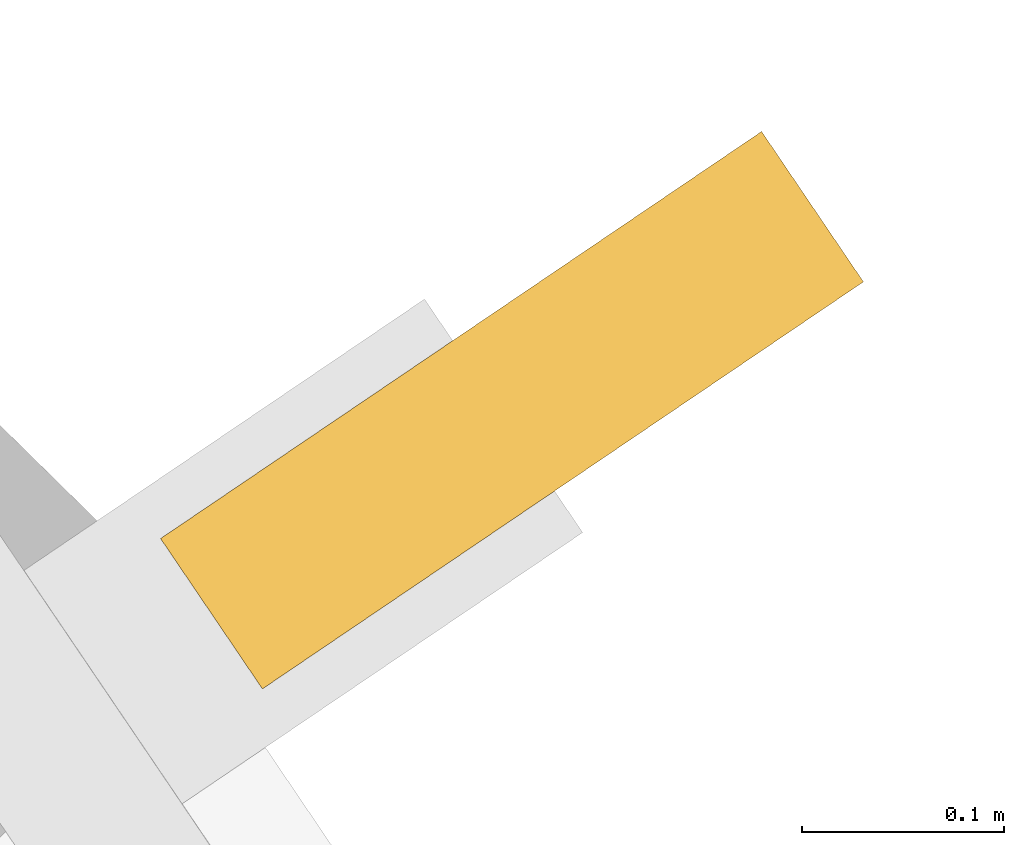
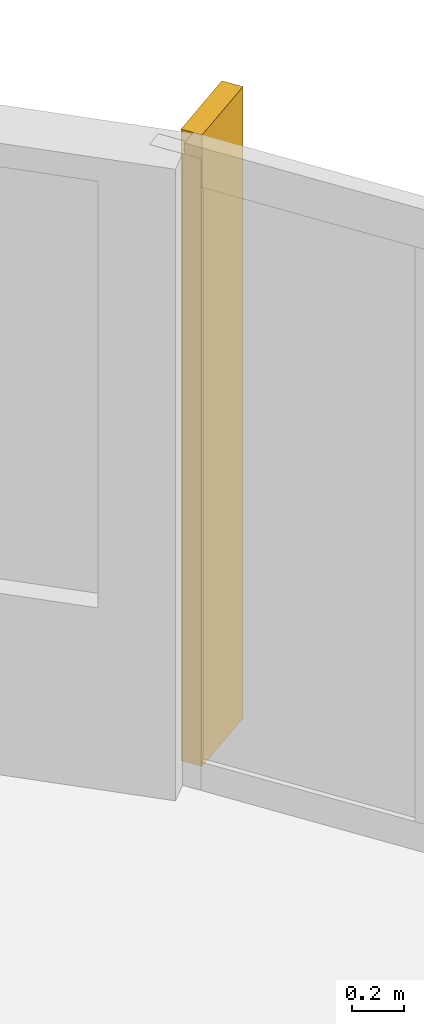
# One storey, part 9 of 9: 1 shading device.
"""IFC4 building model written with IfcOpenShell, lengths in metres."""

from ifc_helpers import new_model, si_unit, direction, frame, origin, origin_2d, place, context, subcontext, project, spatial, rectangle, extrude, material, layer, layer_set, type_object, element, save


model = new_model("IFC4")

# Units and contexts
model_context = context("Model", 3, precision=1e-05, world=origin(), true_north=direction((0.0, 1.0)))
body_context = subcontext(model_context, "Body", "Model", "MODEL_VIEW")
ifc_project = project(units=[si_unit("LENGTHUNIT", "METRE"), si_unit("AREAUNIT", "SQUARE_METRE"), si_unit("VOLUMEUNIT", "CUBIC_METRE"), si_unit("PLANEANGLEUNIT", "RADIAN"), si_unit("MASSUNIT", "GRAM", prefix="KILO")], contexts=[model_context])

# Site, building, storey
site_placement = place(None, origin())
site = spatial("IfcSite", under=ifc_project, at=site_placement, CompositionType="ELEMENT")
building_placement = place(site_placement, origin())
building = spatial("IfcBuilding", under=site, at=building_placement, Name="Veldorim Arch Residences", CompositionType="ELEMENT")
storey_placement = place(building_placement, frame((0.0, 0.0, 204.639892578125)))
storey = spatial("IfcBuildingStorey", under=building, at=storey_placement, Name="L61", CompositionType="ELEMENT", Elevation=204.639892578125)

# Shading device
ifc_material = material(Name="Terracotta Ceramic", Category="masonry")
ifc_layer = layer(ifc_material, 0.090087890625, Name="Vertical Extruded Terracotta Baguette Sun-Shading Fin")
ifc_layer_set = layer_set([ifc_layer], Name="Terracotta Ceramic")
shading_device_type = type_object("IfcShadingDeviceType", Name="Vertical Extruded Terracotta Baguette Sun-Shading Fin", PredefinedType="USERDEFINED", material=ifc_layer_set)
shading_device_placement = place(storey_placement, frame((43.43310546875, 34.392822265625, 0.000244140625), z_axis=(0.0, 0.0, 1.0), x_axis=(0.560783509816, -0.827962472047, 0.0)))
element("IfcShadingDevice", 1, at=shading_device_placement, inside=storey, type_object=shading_device_type, Name="L61 vertical terracotta sun-shading fin 35", ObjectType="FIN", PredefinedType="USERDEFINED", context=body_context, shape_type="SweptSolid", body=[
    extrude(rectangle(XDim=0.090087890625, YDim=0.360107421875, at=origin_2d()), origin(), (0.0, 0.0, 1.0), 2.9599609375),
])

save(model, "model.ifc")
